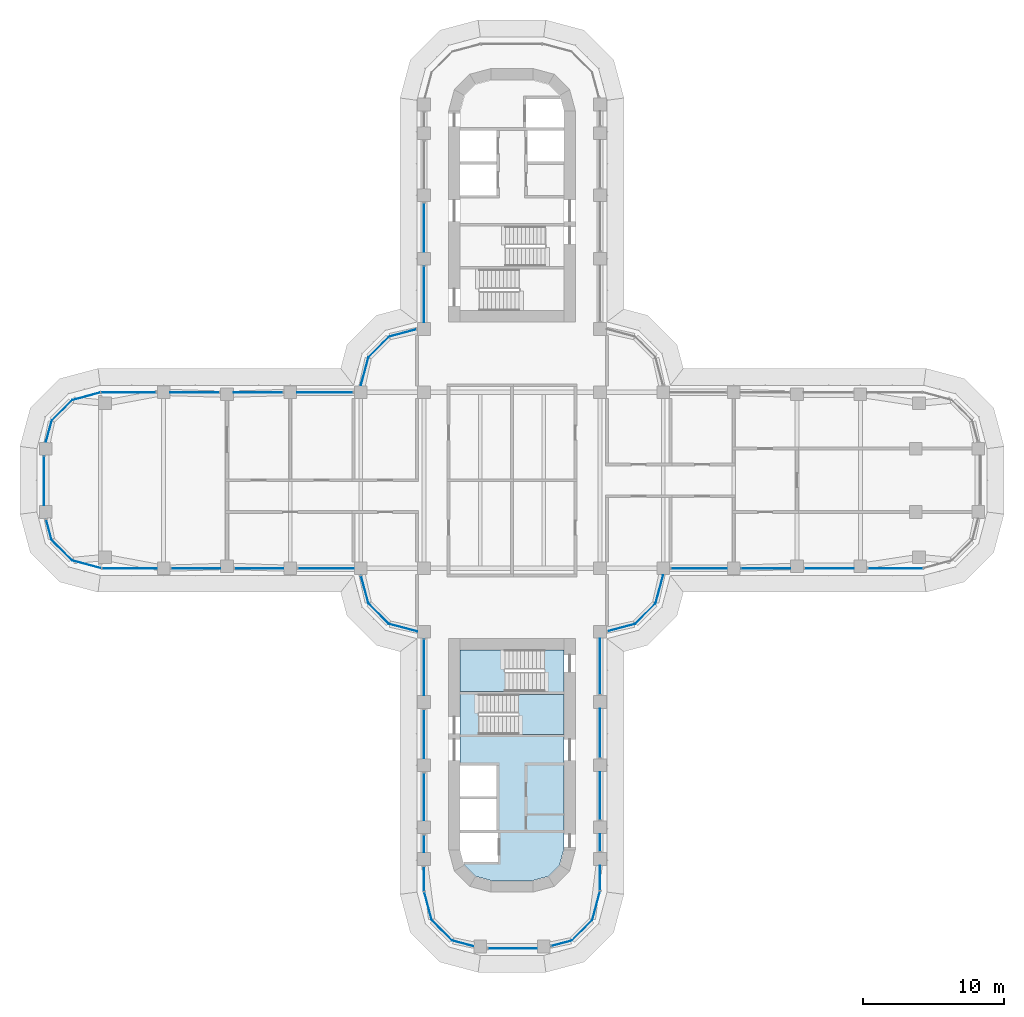
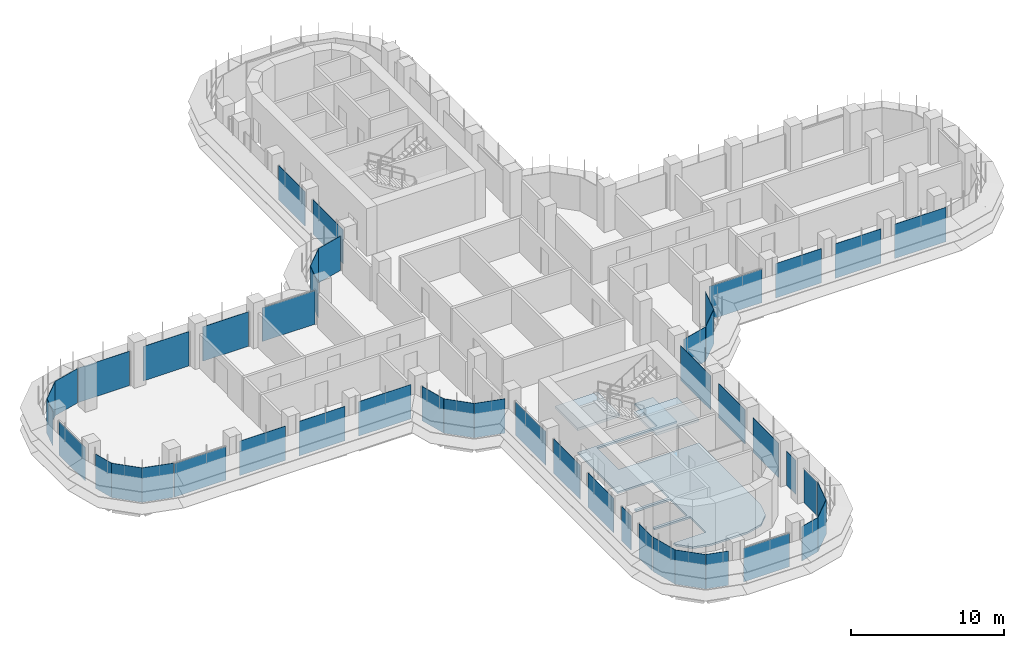
# One storey, part 12 of 22: 47 plates, 3 slabs, 31 elements without a shape of their own.
"""IFC4 building model written with IfcOpenShell, lengths in metres."""

from ifc_helpers import new_model, si_unit, direction, frame, origin, place, context, subcontext, project, spatial, polyline, outline, extrude, source, transform, mapped, material, layer, layer_set, type_object, element, aggregate, save


model = new_model("IFC4")

# Units and contexts
model_context = context("Model", 3, precision=1e-05, world=origin(), true_north=direction((0.0, 1.0)))
body_context = subcontext(model_context, "Body", "Model", "MODEL_VIEW")
ifc_project = project(units=[si_unit("LENGTHUNIT", "METRE"), si_unit("AREAUNIT", "SQUARE_METRE"), si_unit("VOLUMEUNIT", "CUBIC_METRE"), si_unit("PLANEANGLEUNIT", "RADIAN"), si_unit("MASSUNIT", "GRAM", prefix="KILO")], contexts=[model_context])

# Site, building, storey
site_placement = place(None, origin())
site = spatial("IfcSite", under=ifc_project, at=site_placement, CompositionType="ELEMENT")
building_placement = place(site_placement, origin())
building = spatial("IfcBuilding", under=site, at=building_placement, Name="Zarbagh Exchange Tower", CompositionType="ELEMENT")
storey_placement = place(building_placement, frame((0.0, 0.0, 109.39990234375)))
storey = spatial("IfcBuildingStorey", under=building, at=storey_placement, Name="L25", CompositionType="ELEMENT", Elevation=109.39990234375)

# Slab
ifc_material_1 = material(Name="Concrete C40/50", Category="concrete")
ifc_layer_1 = layer(ifc_material_1, 0.14990234375)
ifc_layer_set_1 = layer_set([ifc_layer_1], Name="Core floor slab 150 C40/50")
slab_type_1 = type_object("IfcSlabType", Name="Core floor slab 150 C40/50", PredefinedType="FLOOR", material=ifc_layer_set_1)
slab_1_placement = place(storey_placement, frame((0.0, 0.0, -0.14990234375)))
element("IfcSlab", 1, at=slab_1_placement, inside=storey, type_object=slab_type_1, Name="S17 core S", PredefinedType="FLOOR", context=body_context, shape_type="SweptSolid", body=[
    extrude(outline(polyline([(-2.5859375, -28.130859375), (-3.380859375, -27.3359375), (-3.646484375, -26.3447265625), (-3.444091796875, -27.10009765625), (-1.0, -27.10009765625), (-1.0, -25.050048828125), (-3.699951171875, -25.050048828125), (-3.699951171875, -24.85009765625), (-1.10009765625, -24.85009765625), (-1.10009765625, -22.64990234375), (-3.699951171875, -22.64990234375), (-3.699951171875, -22.449951171875), (-1.10009765625, -22.449951171875), (-1.10009765625, -20.25), (-3.699951171875, -20.25), (-3.699951171875, -15.0), (2.300048828125, -15.0), (2.300048828125, -12.050048828125), (3.699951171875, -12.050048828125), (3.699951171875, -15.199951171875), (-2.35009765625, -15.199951171875), (-2.35009765625, -18.050048828125), (3.699951171875, -18.050048828125), (3.699951171875, -26.144775390625), (3.380859375, -27.3359375), (2.5859375, -28.130859375), (1.394775390625, -28.449951171875), (-1.394775390625, -28.449951171875), (-2.5859375, -28.130859375)])), origin(), (0.0, 0.0, 1.0), 0.14990234375),
])

# Stair, slab
stair_type = type_object("IfcStairType", Name="Exit stair two-flight half-turn", PredefinedType="HALF_TURN_STAIR", material=ifc_material_1)
stair_1_placement = place(storey_placement, origin())
stair_1 = element("IfcStair", 2, at=stair_1_placement, inside=storey, type_object=stair_type, Name="exit stair ST3", PredefinedType="HALF_TURN_STAIR")
ifc_layer_2 = layer(ifc_material_1, 0.199951171875)
ifc_layer_set_2 = layer_set([ifc_layer_2], Name="Stair landing 200 mm")
slab_type_2 = type_object("IfcSlabType", Name="Stair landing 200 mm", PredefinedType="LANDING", material=ifc_layer_set_2)
slab_2_placement = place(storey_placement, frame((0.0, 0.0, 1.7001953125)))
slab_2 = element("IfcSlab", 3, at=slab_2_placement, type_object=slab_type_2, Name="ST3 landing 1", PredefinedType="LANDING", context=body_context, shape_type="SweptSolid", body=[
    extrude(outline(polyline([(0.449951171875, -18.050048828125), (3.699951171875, -18.050048828125), (3.699951171875, -15.199951171875), (0.449951171875, -15.199951171875), (0.449951171875, -18.050048828125)])), origin(), (0.0, 0.0, 1.0), 0.199951171875),
])
aggregate(stair_1, [slab_2])

stair_2_placement = place(storey_placement, origin())
stair_2 = element("IfcStair", 4, at=stair_2_placement, inside=storey, type_object=stair_type, Name="exit stair ST4", PredefinedType="HALF_TURN_STAIR")
slab_3_placement = place(storey_placement, frame((0.0, 0.0, 1.7001953125)))
slab_3 = element("IfcSlab", 5, at=slab_3_placement, type_object=slab_type_2, Name="ST4 landing 1", PredefinedType="LANDING", context=body_context, shape_type="SweptSolid", body=[
    extrude(outline(polyline([(-0.5, -12.050048828125), (-3.699951171875, -12.050048828125), (-3.699951171875, -15.0), (-0.5, -15.0), (-0.5, -12.050048828125)])), origin(), (0.0, 0.0, 1.0), 0.199951171875),
])
aggregate(stair_2, [slab_3])

# Curtain wall, plate
ifc_material_2 = material(Name="Anodised aluminium frame and glazing", Category="aluminium")
curtain_wall_type = type_object("IfcCurtainWallType", Name="CWA Ribbon glazing, lower zones", PredefinedType="NOTDEFINED", material=ifc_material_2)
curtain_wall_1_placement = place(storey_placement, origin())
curtain_wall_1 = element("IfcCurtainWall", 6, at=curtain_wall_1_placement, inside=storey, type_object=curtain_wall_type, Name="CWA01 curtain wall", PredefinedType="NOTDEFINED")
ifc_material_3 = material(Name="Low-e double glazed unit, 6+12+6 mm")
ifc_layer_3 = layer(ifc_material_3, 0.028076171875)
ifc_layer_set_3 = layer_set([ifc_layer_3], Name="PAA Glazing panel, Low-e double glazed unit, 6+12+6 mm")
plate_type = type_object("IfcPlateType", Name="PAA Glazing panel, Low-e double glazed unit, 6+12+6 mm", PredefinedType="CURTAIN_PANEL", material=ifc_layer_set_3)
shared_shape_1 = source(origin(), body_context, "Body", "SweptSolid", [
    extrude(outline(polyline([(0.0, -0.013916015625), (1.494140625, -0.013916015625), (1.494140625, 0.013916015625), (0.0, 0.013916015625), (0.0, -0.013916015625)])), origin(), (0.0, 0.0, 1.0), 2.75),
])
placement = place(storey_placement, origin())
plate_1 = element("IfcPlate", 7, at=placement, type_object=plate_type, Name="CWA01 glazing panel 1.1", PredefinedType="CURTAIN_PANEL", context=body_context, shape_type="MappedRepresentation", body=[
    mapped(shared_shape_1, transform((2.7978515625, -33.08544921875, 0.0), x_axis=(0.965924289636, 0.258824779902, 0.0), y_axis=(-0.258824779902, 0.965924289636, 0.0), z_axis=(0.0, 0.0, 1.0))),
])
aggregate(curtain_wall_1, [plate_1])

curtain_wall_2_placement = place(storey_placement, origin())
curtain_wall_2 = element("IfcCurtainWall", 8, at=curtain_wall_2_placement, inside=storey, type_object=curtain_wall_type, Name="CWA37 curtain wall", PredefinedType="NOTDEFINED")
plate_2 = element("IfcPlate", 9, at=placement, type_object=plate_type, Name="CWA37 glazing panel 1.1", PredefinedType="CURTAIN_PANEL", context=body_context, shape_type="MappedRepresentation", body=[
    mapped(shared_shape_1, transform((-33.08544921875, -2.7978515625, 0.0), x_axis=(0.258824779902, -0.965924289636, 0.0), y_axis=(0.965924289636, 0.258824779902, 0.0), z_axis=(0.0, 0.0, 1.0))),
])
aggregate(curtain_wall_2, [plate_2])

curtain_wall_3_placement = place(storey_placement, origin())
curtain_wall_3 = element("IfcCurtainWall", 10, at=curtain_wall_3_placement, inside=storey, type_object=curtain_wall_type, Name="CWA02 curtain wall", PredefinedType="NOTDEFINED")
shared_shape_2 = source(origin(), body_context, "Body", "SweptSolid", [
    extrude(outline(polyline([(0.0, -0.013916015625), (2.061279296875, -0.013916015625), (2.061279296875, 0.013916015625), (0.0, 0.013916015625), (0.0, -0.013916015625)])), origin(), (0.0, 0.0, 1.0), 2.75),
])
plate_3 = element("IfcPlate", 11, at=placement, type_object=plate_type, Name="CWA02 glazing panel 1.1", PredefinedType="CURTAIN_PANEL", context=body_context, shape_type="MappedRepresentation", body=[
    mapped(shared_shape_2, transform((4.2412109375, -32.69873046875, 0.0), x_axis=(0.707106781187, 0.707106781187, 0.0), y_axis=(-0.707106781187, 0.707106781187, 0.0), z_axis=(0.0, 0.0, 1.0))),
])
aggregate(curtain_wall_3, [plate_3])

curtain_wall_4_placement = place(storey_placement, origin())
curtain_wall_4 = element("IfcCurtainWall", 12, at=curtain_wall_4_placement, inside=storey, type_object=curtain_wall_type, Name="CWA06 curtain wall", PredefinedType="NOTDEFINED")
plate_4 = element("IfcPlate", 13, at=placement, type_object=plate_type, Name="CWA06 glazing panel 1.1", PredefinedType="CURTAIN_PANEL", context=body_context, shape_type="MappedRepresentation", body=[
    mapped(shared_shape_2, transform((8.7412109375, -10.19873046875, 0.0), x_axis=(0.707106781187, 0.707106781187, 0.0), y_axis=(-0.707106781187, 0.707106781187, 0.0), z_axis=(0.0, 0.0, 1.0))),
])
aggregate(curtain_wall_4, [plate_4])

curtain_wall_5_placement = place(storey_placement, origin())
curtain_wall_5 = element("IfcCurtainWall", 14, at=curtain_wall_5_placement, inside=storey, type_object=curtain_wall_type, Name="CWA30 curtain wall", PredefinedType="NOTDEFINED")
plate_5 = element("IfcPlate", 15, at=placement, type_object=plate_type, Name="CWA30 glazing panel 1.1", PredefinedType="CURTAIN_PANEL", context=body_context, shape_type="MappedRepresentation", body=[
    mapped(shared_shape_2, transform((-8.7412109375, 10.19873046875, 0.0), x_axis=(-0.707106781187, -0.707106781187, 0.0), y_axis=(0.707106781187, -0.707106781187, 0.0), z_axis=(0.0, 0.0, 1.0))),
])
aggregate(curtain_wall_5, [plate_5])

curtain_wall_6_placement = place(storey_placement, origin())
curtain_wall_6 = element("IfcCurtainWall", 16, at=curtain_wall_6_placement, inside=storey, type_object=curtain_wall_type, Name="CWA34 curtain wall", PredefinedType="NOTDEFINED")
plate_6 = element("IfcPlate", 17, at=placement, type_object=plate_type, Name="CWA34 glazing panel 1.1", PredefinedType="CURTAIN_PANEL", context=body_context, shape_type="MappedRepresentation", body=[
    mapped(shared_shape_2, transform((-31.2412109375, 5.69873046875, 0.0), x_axis=(-0.707106781187, -0.707106781187, 0.0), y_axis=(0.707106781187, -0.707106781187, 0.0), z_axis=(0.0, 0.0, 1.0))),
])
aggregate(curtain_wall_6, [plate_6])

curtain_wall_7_placement = place(storey_placement, origin())
curtain_wall_7 = element("IfcCurtainWall", 18, at=curtain_wall_7_placement, inside=storey, type_object=curtain_wall_type, Name="CWA38 curtain wall", PredefinedType="NOTDEFINED")
plate_7 = element("IfcPlate", 19, at=placement, type_object=plate_type, Name="CWA38 glazing panel 1.1", PredefinedType="CURTAIN_PANEL", context=body_context, shape_type="MappedRepresentation", body=[
    mapped(shared_shape_2, transform((-32.69873046875, -4.2412109375, 0.0), x_axis=(0.707106781187, -0.707106781187, 0.0), y_axis=(0.707106781187, 0.707106781187, 0.0), z_axis=(0.0, 0.0, 1.0))),
])
aggregate(curtain_wall_7, [plate_7])

curtain_wall_8_placement = place(storey_placement, origin())
curtain_wall_8 = element("IfcCurtainWall", 20, at=curtain_wall_8_placement, inside=storey, type_object=curtain_wall_type, Name="CWA42 curtain wall", PredefinedType="NOTDEFINED")
plate_8 = element("IfcPlate", 21, at=placement, type_object=plate_type, Name="CWA42 glazing panel 1.1", PredefinedType="CURTAIN_PANEL", context=body_context, shape_type="MappedRepresentation", body=[
    mapped(shared_shape_2, transform((-10.19873046875, -8.7412109375, 0.0), x_axis=(0.707106781187, -0.707106781187, 0.0), y_axis=(0.707106781187, 0.707106781187, 0.0), z_axis=(0.0, 0.0, 1.0))),
])
aggregate(curtain_wall_8, [plate_8])

curtain_wall_9_placement = place(storey_placement, origin())
curtain_wall_9 = element("IfcCurtainWall", 22, at=curtain_wall_9_placement, inside=storey, type_object=curtain_wall_type, Name="CWA46 curtain wall", PredefinedType="NOTDEFINED")
plate_9 = element("IfcPlate", 23, at=placement, type_object=plate_type, Name="CWA46 glazing panel 1.1", PredefinedType="CURTAIN_PANEL", context=body_context, shape_type="MappedRepresentation", body=[
    mapped(shared_shape_2, transform((-5.69873046875, -31.2412109375, 0.0), x_axis=(0.707106781187, -0.707106781187, 0.0), y_axis=(0.707106781187, 0.707106781187, 0.0), z_axis=(0.0, 0.0, 1.0))),
])
aggregate(curtain_wall_9, [plate_9])

curtain_wall_10_placement = place(storey_placement, origin())
curtain_wall_10 = element("IfcCurtainWall", 24, at=curtain_wall_10_placement, inside=storey, type_object=curtain_wall_type, Name="CWA03 curtain wall", PredefinedType="NOTDEFINED")
shared_shape_3 = source(origin(), body_context, "Body", "SweptSolid", [
    extrude(outline(polyline([(0.0, -0.013916015625), (2.129638671875, -0.013916015625), (2.129638671875, 0.013916015625), (0.0, 0.013916015625), (0.0, -0.013916015625)])), origin(), (0.0, 0.0, 1.0), 2.75),
])
plate_10 = element("IfcPlate", 25, at=placement, type_object=plate_type, Name="CWA03 glazing panel 1.1", PredefinedType="CURTAIN_PANEL", context=body_context, shape_type="MappedRepresentation", body=[
    mapped(shared_shape_3, transform((5.69873046875, -31.2412109375, 0.0), x_axis=(0.258824779902, 0.965924289636, 0.0), y_axis=(-0.965924289636, 0.258824779902, 0.0), z_axis=(0.0, 0.0, 1.0))),
])
aggregate(curtain_wall_10, [plate_10])

curtain_wall_11_placement = place(storey_placement, origin())
curtain_wall_11 = element("IfcCurtainWall", 26, at=curtain_wall_11_placement, inside=storey, type_object=curtain_wall_type, Name="CWA39 curtain wall", PredefinedType="NOTDEFINED")
plate_11 = element("IfcPlate", 27, at=placement, type_object=plate_type, Name="CWA39 glazing panel 1.1", PredefinedType="CURTAIN_PANEL", context=body_context, shape_type="MappedRepresentation", body=[
    mapped(shared_shape_3, transform((-31.2412109375, -5.69873046875, 0.0), x_axis=(0.965924289636, -0.258824779902, 0.0), y_axis=(0.258824779902, 0.965924289636, 0.0), z_axis=(0.0, 0.0, 1.0))),
])
aggregate(curtain_wall_11, [plate_11])

# Curtain wall, plates
curtain_wall_12_placement = place(storey_placement, origin())
curtain_wall_12 = element("IfcCurtainWall", 28, at=curtain_wall_12_placement, inside=storey, type_object=curtain_wall_type, Name="CWA04 curtain wall", PredefinedType="NOTDEFINED")
shared_shape_4 = source(origin(), body_context, "Body", "SweptSolid", [
    extrude(outline(polyline([(0.0, -0.013916015625), (1.734130859375, -0.013916015625), (1.734130859375, 0.013916015625), (0.0, 0.013916015625), (0.0, -0.013916015625)])), origin(), (0.0, 0.0, 1.0), 2.68994140625),
])
plate_12 = element("IfcPlate", 29, at=placement, type_object=plate_type, Name="CWA04 glazing panel 1.1", PredefinedType="CURTAIN_PANEL", context=body_context, shape_type="MappedRepresentation", body=[
    mapped(shared_shape_4, transform((6.25, -29.124267578125, 0.0), x_axis=(0.0, 1.0, 0.0), y_axis=(-1.0, 0.0, 0.0), z_axis=(0.0, 0.0, 1.0))),
])
shared_shape_5 = source(origin(), body_context, "Body", "SweptSolid", [
    extrude(outline(polyline([(0.0, -0.013916015625), (1.2099609375, -0.013916015625), (1.2099609375, 0.013916015625), (0.0, 0.013916015625), (0.0, -0.013916015625)])), origin(), (0.0, 0.0, 1.0), 2.75),
])
plate_13 = element("IfcPlate", 30, at=placement, type_object=plate_type, Name="CWA04 glazing panel 2.1", PredefinedType="CURTAIN_PANEL", context=body_context, shape_type="MappedRepresentation", body=[
    mapped(shared_shape_5, transform((6.25, -26.349853515625, 0.0), x_axis=(0.0, 1.0, 0.0), y_axis=(-1.0, 0.0, 0.0), z_axis=(0.0, 0.0, 1.0))),
])

# Curtain wall, plate
curtain_wall_13_placement = place(storey_placement, origin())
curtain_wall_13 = element("IfcCurtainWall", 31, at=curtain_wall_13_placement, inside=storey, type_object=curtain_wall_type, Name="CWA44 curtain wall", PredefinedType="NOTDEFINED")
plate_14 = element("IfcPlate", 32, at=placement, type_object=plate_type, Name="CWA44 glazing panel 4.1", PredefinedType="CURTAIN_PANEL", context=body_context, shape_type="MappedRepresentation", body=[
    mapped(shared_shape_5, transform((-6.25, -25.199951171875, 0.0), x_axis=(0.0, -1.0, 0.0), y_axis=(1.0, 0.0, 0.0), z_axis=(0.0, 0.0, 1.0))),
])

# Plate
shared_shape_6 = source(origin(), body_context, "Body", "SweptSolid", [
    extrude(outline(polyline([(0.0, -0.013916015625), (3.360107421875, -0.013916015625), (3.360107421875, 0.013916015625), (0.0, 0.013916015625), (0.0, -0.013916015625)])), origin(), (0.0, 0.0, 1.0), 2.75),
])
plate_15 = element("IfcPlate", 33, at=placement, type_object=plate_type, Name="CWA04 glazing panel 3.1", PredefinedType="CURTAIN_PANEL", context=body_context, shape_type="MappedRepresentation", body=[
    mapped(shared_shape_6, transform((6.25, -24.099853515625, 0.0), x_axis=(0.0, 1.0, 0.0), y_axis=(-1.0, 0.0, 0.0), z_axis=(0.0, 0.0, 1.0))),
])

plate_16 = element("IfcPlate", 34, at=placement, type_object=plate_type, Name="CWA44 glazing panel 3.1", PredefinedType="CURTAIN_PANEL", context=body_context, shape_type="MappedRepresentation", body=[
    mapped(shared_shape_6, transform((-6.25, -20.800048828125, 0.0), x_axis=(0.0, -1.0, 0.0), y_axis=(1.0, 0.0, 0.0), z_axis=(0.0, 0.0, 1.0))),
])

shared_shape_7 = source(origin(), body_context, "Body", "SweptSolid", [
    extrude(outline(polyline([(0.0, -0.013916015625), (3.4599609375, -0.013916015625), (3.4599609375, 0.013916015625), (0.0, 0.013916015625), (0.0, -0.013916015625)])), origin(), (0.0, 0.0, 1.0), 2.75),
])
plate_17 = element("IfcPlate", 35, at=placement, type_object=plate_type, Name="CWA04 glazing panel 4.1", PredefinedType="CURTAIN_PANEL", context=body_context, shape_type="MappedRepresentation", body=[
    mapped(shared_shape_7, transform((6.25, -19.699951171875, 0.0), x_axis=(0.0, 1.0, 0.0), y_axis=(-1.0, 0.0, 0.0), z_axis=(0.0, 0.0, 1.0))),
])

# Curtain wall, plates
curtain_wall_14_placement = place(storey_placement, origin())
curtain_wall_14 = element("IfcCurtainWall", 36, at=curtain_wall_14_placement, inside=storey, type_object=curtain_wall_type, Name="CWA08 curtain wall", PredefinedType="NOTDEFINED")
plate_18 = element("IfcPlate", 37, at=placement, type_object=plate_type, Name="CWA08 glazing panel 2.1", PredefinedType="CURTAIN_PANEL", context=body_context, shape_type="MappedRepresentation", body=[
    mapped(shared_shape_7, transform((16.300048828125, -6.25, 0.0), x_axis=(1.0, 0.0, 0.0), y_axis=(0.0, 1.0, 0.0), z_axis=(0.0, 0.0, 1.0))),
])
plate_19 = element("IfcPlate", 38, at=placement, type_object=plate_type, Name="CWA08 glazing panel 3.1", PredefinedType="CURTAIN_PANEL", context=body_context, shape_type="MappedRepresentation", body=[
    mapped(shared_shape_7, transform((20.800048828125, -6.25, 0.0), x_axis=(1.0, 0.0, 0.0), y_axis=(0.0, 1.0, 0.0), z_axis=(0.0, 0.0, 1.0))),
])

# Curtain wall, plate
curtain_wall_15_placement = place(storey_placement, origin())
curtain_wall_15 = element("IfcCurtainWall", 39, at=curtain_wall_15_placement, inside=storey, type_object=curtain_wall_type, Name="CWA56 curtain wall", PredefinedType="NOTDEFINED")
plate_20 = element("IfcPlate", 40, at=placement, type_object=plate_type, Name="CWA56 glazing panel 3.1", PredefinedType="CURTAIN_PANEL", context=body_context, shape_type="MappedRepresentation", body=[
    mapped(shared_shape_7, transform((-6.25, 19.699951171875, 0.0), x_axis=(0.0, -1.0, 0.0), y_axis=(1.0, 0.0, 0.0), z_axis=(0.0, 0.0, 1.0))),
])

# Curtain wall, plates
curtain_wall_16_placement = place(storey_placement, origin())
curtain_wall_16 = element("IfcCurtainWall", 41, at=curtain_wall_16_placement, inside=storey, type_object=curtain_wall_type, Name="CWA32 curtain wall", PredefinedType="NOTDEFINED")
plate_21 = element("IfcPlate", 42, at=placement, type_object=plate_type, Name="CWA32 glazing panel 2.1", PredefinedType="CURTAIN_PANEL", context=body_context, shape_type="MappedRepresentation", body=[
    mapped(shared_shape_7, transform((-16.300048828125, 6.25, 0.0), x_axis=(-1.0, 0.0, 0.0), y_axis=(0.0, -1.0, 0.0), z_axis=(0.0, 0.0, 1.0))),
])
plate_22 = element("IfcPlate", 43, at=placement, type_object=plate_type, Name="CWA32 glazing panel 3.1", PredefinedType="CURTAIN_PANEL", context=body_context, shape_type="MappedRepresentation", body=[
    mapped(shared_shape_7, transform((-20.800048828125, 6.25, 0.0), x_axis=(-1.0, 0.0, 0.0), y_axis=(0.0, -1.0, 0.0), z_axis=(0.0, 0.0, 1.0))),
])

curtain_wall_17_placement = place(storey_placement, origin())
curtain_wall_17 = element("IfcCurtainWall", 44, at=curtain_wall_17_placement, inside=storey, type_object=curtain_wall_type, Name="CWA40 curtain wall", PredefinedType="NOTDEFINED")
plate_23 = element("IfcPlate", 45, at=placement, type_object=plate_type, Name="CWA40 glazing panel 2.1", PredefinedType="CURTAIN_PANEL", context=body_context, shape_type="MappedRepresentation", body=[
    mapped(shared_shape_7, transform((-24.199951171875, -6.25, 0.0), x_axis=(1.0, 0.0, 0.0), y_axis=(0.0, 1.0, 0.0), z_axis=(0.0, 0.0, 1.0))),
])
plate_24 = element("IfcPlate", 46, at=placement, type_object=plate_type, Name="CWA40 glazing panel 3.1", PredefinedType="CURTAIN_PANEL", context=body_context, shape_type="MappedRepresentation", body=[
    mapped(shared_shape_7, transform((-19.699951171875, -6.25, 0.0), x_axis=(1.0, 0.0, 0.0), y_axis=(0.0, 1.0, 0.0), z_axis=(0.0, 0.0, 1.0))),
])

# Plate
plate_25 = element("IfcPlate", 47, at=placement, type_object=plate_type, Name="CWA44 glazing panel 2.1", PredefinedType="CURTAIN_PANEL", context=body_context, shape_type="MappedRepresentation", body=[
    mapped(shared_shape_7, transform((-6.25, -16.300048828125, 0.0), x_axis=(0.0, -1.0, 0.0), y_axis=(1.0, 0.0, 0.0), z_axis=(0.0, 0.0, 1.0))),
])

shared_shape_8 = source(origin(), body_context, "Body", "SweptSolid", [
    extrude(outline(polyline([(0.0, -0.013916015625), (3.9599609375, -0.013916015625), (3.9599609375, 0.013916015625), (0.0, 0.013916015625), (0.0, -0.013916015625)])), origin(), (0.0, 0.0, 1.0), 2.75),
])
plate_26 = element("IfcPlate", 48, at=placement, type_object=plate_type, Name="CWA04 glazing panel 5.1", PredefinedType="CURTAIN_PANEL", context=body_context, shape_type="MappedRepresentation", body=[
    mapped(shared_shape_8, transform((6.25, -15.199951171875, 0.0), x_axis=(0.0, 1.0, 0.0), y_axis=(-1.0, 0.0, 0.0), z_axis=(0.0, 0.0, 1.0))),
])

aggregate(curtain_wall_12, [plate_12, plate_13, plate_15, plate_17, plate_26])

plate_27 = element("IfcPlate", 49, at=placement, type_object=plate_type, Name="CWA56 glazing panel 4.1", PredefinedType="CURTAIN_PANEL", context=body_context, shape_type="MappedRepresentation", body=[
    mapped(shared_shape_8, transform((-6.25, 15.199951171875, 0.0), x_axis=(0.0, -1.0, 0.0), y_axis=(1.0, 0.0, 0.0), z_axis=(0.0, 0.0, 1.0))),
])

aggregate(curtain_wall_15, [plate_20, plate_27])

plate_28 = element("IfcPlate", 50, at=placement, type_object=plate_type, Name="CWA40 glazing panel 4.1", PredefinedType="CURTAIN_PANEL", context=body_context, shape_type="MappedRepresentation", body=[
    mapped(shared_shape_8, transform((-15.199951171875, -6.25, 0.0), x_axis=(1.0, 0.0, 0.0), y_axis=(0.0, 1.0, 0.0), z_axis=(0.0, 0.0, 1.0))),
])

# Curtain wall, plate
curtain_wall_18_placement = place(storey_placement, origin())
curtain_wall_18 = element("IfcCurtainWall", 51, at=curtain_wall_18_placement, inside=storey, type_object=curtain_wall_type, Name="CWA05 curtain wall", PredefinedType="NOTDEFINED")
shared_shape_9 = source(origin(), body_context, "Body", "SweptSolid", [
    extrude(outline(polyline([(0.0, -0.013916015625), (2.01171875, -0.013916015625), (2.01171875, 0.013916015625), (0.0, 0.013916015625), (0.0, -0.013916015625)])), origin(), (0.0, 0.0, 1.0), 2.75),
])
plate_29 = element("IfcPlate", 52, at=placement, type_object=plate_type, Name="CWA05 glazing panel 1.1", PredefinedType="CURTAIN_PANEL", context=body_context, shape_type="MappedRepresentation", body=[
    mapped(shared_shape_9, transform((6.7978515625, -10.719482421875, 0.0), x_axis=(0.965924289636, 0.258824779902, 0.0), y_axis=(-0.258824779902, 0.965924289636, 0.0), z_axis=(0.0, 0.0, 1.0))),
])
aggregate(curtain_wall_18, [plate_29])

curtain_wall_19_placement = place(storey_placement, origin())
curtain_wall_19 = element("IfcCurtainWall", 53, at=curtain_wall_19_placement, inside=storey, type_object=curtain_wall_type, Name="CWA29 curtain wall", PredefinedType="NOTDEFINED")
plate_30 = element("IfcPlate", 54, at=placement, type_object=plate_type, Name="CWA29 glazing panel 1.1", PredefinedType="CURTAIN_PANEL", context=body_context, shape_type="MappedRepresentation", body=[
    mapped(shared_shape_9, transform((-6.7978515625, 10.719482421875, 0.0), x_axis=(-0.965924289636, -0.258824779902, 0.0), y_axis=(0.258824779902, -0.965924289636, 0.0), z_axis=(0.0, 0.0, 1.0))),
])
aggregate(curtain_wall_19, [plate_30])

curtain_wall_20_placement = place(storey_placement, origin())
curtain_wall_20 = element("IfcCurtainWall", 55, at=curtain_wall_20_placement, inside=storey, type_object=curtain_wall_type, Name="CWA41 curtain wall", PredefinedType="NOTDEFINED")
plate_31 = element("IfcPlate", 56, at=placement, type_object=plate_type, Name="CWA41 glazing panel 1.1", PredefinedType="CURTAIN_PANEL", context=body_context, shape_type="MappedRepresentation", body=[
    mapped(shared_shape_9, transform((-10.719482421875, -6.7978515625, 0.0), x_axis=(0.258824779902, -0.965924289636, 0.0), y_axis=(0.965924289636, 0.258824779902, 0.0), z_axis=(0.0, 0.0, 1.0))),
])
aggregate(curtain_wall_20, [plate_31])

curtain_wall_21_placement = place(storey_placement, origin())
curtain_wall_21 = element("IfcCurtainWall", 57, at=curtain_wall_21_placement, inside=storey, type_object=curtain_wall_type, Name="CWA07 curtain wall", PredefinedType="NOTDEFINED")
shared_shape_10 = source(origin(), body_context, "Body", "SweptSolid", [
    extrude(outline(polyline([(0.0, -0.013916015625), (2.07177734375, -0.013916015625), (2.07177734375, 0.013916015625), (0.0, 0.013916015625), (0.0, -0.013916015625)])), origin(), (0.0, 0.0, 1.0), 2.75),
])
plate_32 = element("IfcPlate", 58, at=placement, type_object=plate_type, Name="CWA07 glazing panel 1.1", PredefinedType="CURTAIN_PANEL", context=body_context, shape_type="MappedRepresentation", body=[
    mapped(shared_shape_10, transform((10.19873046875, -8.7412109375, 0.0), x_axis=(0.258824779902, 0.965924289636, 0.0), y_axis=(-0.965924289636, 0.258824779902, 0.0), z_axis=(0.0, 0.0, 1.0))),
])
aggregate(curtain_wall_21, [plate_32])

curtain_wall_22_placement = place(storey_placement, origin())
curtain_wall_22 = element("IfcCurtainWall", 59, at=curtain_wall_22_placement, inside=storey, type_object=curtain_wall_type, Name="CWA31 curtain wall", PredefinedType="NOTDEFINED")
plate_33 = element("IfcPlate", 60, at=placement, type_object=plate_type, Name="CWA31 glazing panel 1.1", PredefinedType="CURTAIN_PANEL", context=body_context, shape_type="MappedRepresentation", body=[
    mapped(shared_shape_10, transform((-10.19873046875, 8.7412109375, 0.0), x_axis=(-0.258824779902, -0.965924289636, 0.0), y_axis=(0.965924289636, -0.258824779902, 0.0), z_axis=(0.0, 0.0, 1.0))),
])
aggregate(curtain_wall_22, [plate_33])

curtain_wall_23_placement = place(storey_placement, origin())
curtain_wall_23 = element("IfcCurtainWall", 61, at=curtain_wall_23_placement, inside=storey, type_object=curtain_wall_type, Name="CWA43 curtain wall", PredefinedType="NOTDEFINED")
plate_34 = element("IfcPlate", 62, at=placement, type_object=plate_type, Name="CWA43 glazing panel 1.1", PredefinedType="CURTAIN_PANEL", context=body_context, shape_type="MappedRepresentation", body=[
    mapped(shared_shape_10, transform((-8.7412109375, -10.19873046875, 0.0), x_axis=(0.965924289636, -0.258824779902, 0.0), y_axis=(0.258824779902, 0.965924289636, 0.0), z_axis=(0.0, 0.0, 1.0))),
])
aggregate(curtain_wall_23, [plate_34])

# Plate
shared_shape_11 = source(origin(), body_context, "Body", "SweptSolid", [
    extrude(outline(polyline([(0.0, -0.013916015625), (3.9599609375, -0.013916015625), (3.9599609375, 0.013916015625), (0.0, 0.013916015625), (0.0, -0.013916015625)])), origin(), (0.0, 0.0, 1.0), 2.68994140625),
])
plate_35 = element("IfcPlate", 63, at=placement, type_object=plate_type, Name="CWA08 glazing panel 1.1", PredefinedType="CURTAIN_PANEL", context=body_context, shape_type="MappedRepresentation", body=[
    mapped(shared_shape_11, transform((11.300048828125, -6.25, 0.0), x_axis=(1.0, 0.0, 0.0), y_axis=(0.0, 1.0, 0.0), z_axis=(0.0, 0.0, 1.0))),
])

plate_36 = element("IfcPlate", 64, at=placement, type_object=plate_type, Name="CWA32 glazing panel 1.1", PredefinedType="CURTAIN_PANEL", context=body_context, shape_type="MappedRepresentation", body=[
    mapped(shared_shape_11, transform((-11.300048828125, 6.25, 0.0), x_axis=(-1.0, 0.0, 0.0), y_axis=(0.0, -1.0, 0.0), z_axis=(0.0, 0.0, 1.0))),
])

plate_37 = element("IfcPlate", 65, at=placement, type_object=plate_type, Name="CWA44 glazing panel 1.1", PredefinedType="CURTAIN_PANEL", context=body_context, shape_type="MappedRepresentation", body=[
    mapped(shared_shape_11, transform((-6.25, -11.300048828125, 0.0), x_axis=(0.0, -1.0, 0.0), y_axis=(1.0, 0.0, 0.0), z_axis=(0.0, 0.0, 1.0))),
])

shared_shape_12 = source(origin(), body_context, "Body", "SweptSolid", [
    extrude(outline(polyline([(0.0, -0.013916015625), (3.884033203125, -0.013916015625), (3.884033203125, 0.013916015625), (0.0, 0.013916015625), (0.0, -0.013916015625)])), origin(), (0.0, 0.0, 1.0), 2.75),
])
plate_38 = element("IfcPlate", 66, at=placement, type_object=plate_type, Name="CWA08 glazing panel 4.1", PredefinedType="CURTAIN_PANEL", context=body_context, shape_type="MappedRepresentation", body=[
    mapped(shared_shape_12, transform((25.300048828125, -6.25, 0.0), x_axis=(1.0, 0.0, 0.0), y_axis=(0.0, 1.0, 0.0), z_axis=(0.0, 0.0, 1.0))),
])

aggregate(curtain_wall_14, [plate_35, plate_18, plate_19, plate_38])

plate_39 = element("IfcPlate", 67, at=placement, type_object=plate_type, Name="CWA32 glazing panel 4.1", PredefinedType="CURTAIN_PANEL", context=body_context, shape_type="MappedRepresentation", body=[
    mapped(shared_shape_12, transform((-25.300048828125, 6.25, 0.0), x_axis=(-1.0, 0.0, 0.0), y_axis=(0.0, -1.0, 0.0), z_axis=(0.0, 0.0, 1.0))),
])

aggregate(curtain_wall_16, [plate_36, plate_21, plate_22, plate_39])

# Curtain wall, plate
curtain_wall_24_placement = place(storey_placement, origin())
curtain_wall_24 = element("IfcCurtainWall", 68, at=curtain_wall_24_placement, inside=storey, type_object=curtain_wall_type, Name="CWA33 curtain wall", PredefinedType="NOTDEFINED")
shared_shape_13 = source(origin(), body_context, "Body", "SweptSolid", [
    extrude(outline(polyline([(0.0, -0.013916015625), (2.069580078125, -0.013916015625), (2.069580078125, 0.013916015625), (0.0, 0.013916015625), (0.0, -0.013916015625)])), origin(), (0.0, 0.0, 1.0), 2.75),
])
plate_40 = element("IfcPlate", 69, at=placement, type_object=plate_type, Name="CWA33 glazing panel 1.1", PredefinedType="CURTAIN_PANEL", context=body_context, shape_type="MappedRepresentation", body=[
    mapped(shared_shape_13, transform((-29.2421875, 6.234375, 0.0), x_axis=(-0.965924289636, -0.258824779902, 0.0), y_axis=(0.258824779902, -0.965924289636, 0.0), z_axis=(0.0, 0.0, 1.0))),
])
aggregate(curtain_wall_24, [plate_40])

curtain_wall_25_placement = place(storey_placement, origin())
curtain_wall_25 = element("IfcCurtainWall", 70, at=curtain_wall_25_placement, inside=storey, type_object=curtain_wall_type, Name="CWA45 curtain wall", PredefinedType="NOTDEFINED")
plate_41 = element("IfcPlate", 71, at=placement, type_object=plate_type, Name="CWA45 glazing panel 1.1", PredefinedType="CURTAIN_PANEL", context=body_context, shape_type="MappedRepresentation", body=[
    mapped(shared_shape_13, transform((-6.234375, -29.2421875, 0.0), x_axis=(0.258824779902, -0.965924289636, 0.0), y_axis=(0.965924289636, 0.258824779902, 0.0), z_axis=(0.0, 0.0, 1.0))),
])
aggregate(curtain_wall_25, [plate_41])

curtain_wall_26_placement = place(storey_placement, origin())
curtain_wall_26 = element("IfcCurtainWall", 72, at=curtain_wall_26_placement, inside=storey, type_object=curtain_wall_type, Name="CWA35 curtain wall", PredefinedType="NOTDEFINED")
shared_shape_14 = source(origin(), body_context, "Body", "SweptSolid", [
    extrude(outline(polyline([(0.0, -0.013916015625), (1.55419921875, -0.013916015625), (1.55419921875, 0.013916015625), (0.0, 0.013916015625), (0.0, -0.013916015625)])), origin(), (0.0, 0.0, 1.0), 2.75),
])
plate_42 = element("IfcPlate", 73, at=placement, type_object=plate_type, Name="CWA35 glazing panel 1.1", PredefinedType="CURTAIN_PANEL", context=body_context, shape_type="MappedRepresentation", body=[
    mapped(shared_shape_14, transform((-32.69873046875, 4.2412109375, 0.0), x_axis=(-0.258824779902, -0.965924289636, 0.0), y_axis=(0.965924289636, -0.258824779902, 0.0), z_axis=(0.0, 0.0, 1.0))),
])
aggregate(curtain_wall_26, [plate_42])

curtain_wall_27_placement = place(storey_placement, origin())
curtain_wall_27 = element("IfcCurtainWall", 74, at=curtain_wall_27_placement, inside=storey, type_object=curtain_wall_type, Name="CWA47 curtain wall", PredefinedType="NOTDEFINED")
plate_43 = element("IfcPlate", 75, at=placement, type_object=plate_type, Name="CWA47 glazing panel 1.1", PredefinedType="CURTAIN_PANEL", context=body_context, shape_type="MappedRepresentation", body=[
    mapped(shared_shape_14, transform((-4.2412109375, -32.69873046875, 0.0), x_axis=(0.965924289636, -0.258824779902, 0.0), y_axis=(0.258824779902, 0.965924289636, 0.0), z_axis=(0.0, 0.0, 1.0))),
])
aggregate(curtain_wall_27, [plate_43])

curtain_wall_28_placement = place(storey_placement, origin())
curtain_wall_28 = element("IfcCurtainWall", 76, at=curtain_wall_28_placement, inside=storey, type_object=curtain_wall_type, Name="CWA36 curtain wall", PredefinedType="NOTDEFINED")
shared_shape_15 = source(origin(), body_context, "Body", "SweptSolid", [
    extrude(outline(polyline([(0.0, -0.013916015625), (3.4599609375, -0.013916015625), (3.4599609375, 0.013916015625), (0.0, 0.013916015625), (0.0, -0.013916015625)])), origin(), (0.0, 0.0, 1.0), 2.68994140625),
])
plate_44 = element("IfcPlate", 77, at=placement, type_object=plate_type, Name="CWA36 glazing panel 1.1", PredefinedType="CURTAIN_PANEL", context=body_context, shape_type="MappedRepresentation", body=[
    mapped(shared_shape_15, transform((-33.25, 1.699951171875, 0.0), x_axis=(0.0, -1.0, 0.0), y_axis=(1.0, 0.0, 0.0), z_axis=(0.0, 0.0, 1.0))),
])
aggregate(curtain_wall_28, [plate_44])

curtain_wall_29_placement = place(storey_placement, origin())
curtain_wall_29 = element("IfcCurtainWall", 78, at=curtain_wall_29_placement, inside=storey, type_object=curtain_wall_type, Name="CWA48 curtain wall", PredefinedType="NOTDEFINED")
plate_45 = element("IfcPlate", 79, at=placement, type_object=plate_type, Name="CWA48 glazing panel 1.1", PredefinedType="CURTAIN_PANEL", context=body_context, shape_type="MappedRepresentation", body=[
    mapped(shared_shape_15, transform((-1.699951171875, -33.25, 0.0), x_axis=(1.0, 0.0, 0.0), y_axis=(0.0, 1.0, 0.0), z_axis=(0.0, 0.0, 1.0))),
])
aggregate(curtain_wall_29, [plate_45])

# Plate
shared_shape_16 = source(origin(), body_context, "Body", "SweptSolid", [
    extrude(outline(polyline([(0.0, -0.013916015625), (3.88427734375, -0.013916015625), (3.88427734375, 0.013916015625), (0.0, 0.013916015625), (0.0, -0.013916015625)])), origin(), (0.0, 0.0, 1.0), 2.68994140625),
])
plate_46 = element("IfcPlate", 80, at=placement, type_object=plate_type, Name="CWA40 glazing panel 1.1", PredefinedType="CURTAIN_PANEL", context=body_context, shape_type="MappedRepresentation", body=[
    mapped(shared_shape_16, transform((-29.124267578125, -6.25, 0.0), x_axis=(1.0, 0.0, 0.0), y_axis=(0.0, 1.0, 0.0), z_axis=(0.0, 0.0, 1.0))),
])

aggregate(curtain_wall_17, [plate_46, plate_23, plate_24, plate_28])

shared_shape_17 = source(origin(), body_context, "Body", "SweptSolid", [
    extrude(outline(polyline([(0.0, -0.013916015625), (1.734130859375, -0.013916015625), (1.734130859375, 0.013916015625), (0.0, 0.013916015625), (0.0, -0.013916015625)])), origin(), (0.0, 0.0, 1.0), 2.75),
])
plate_47 = element("IfcPlate", 81, at=placement, type_object=plate_type, Name="CWA44 glazing panel 5.1", PredefinedType="CURTAIN_PANEL", context=body_context, shape_type="MappedRepresentation", body=[
    mapped(shared_shape_17, transform((-6.25, -27.449951171875, 0.0), x_axis=(0.0, -1.0, 0.0), y_axis=(1.0, 0.0, 0.0), z_axis=(0.0, 0.0, 1.0))),
])

aggregate(curtain_wall_13, [plate_37, plate_25, plate_16, plate_14, plate_47])

save(model, "model.ifc")
